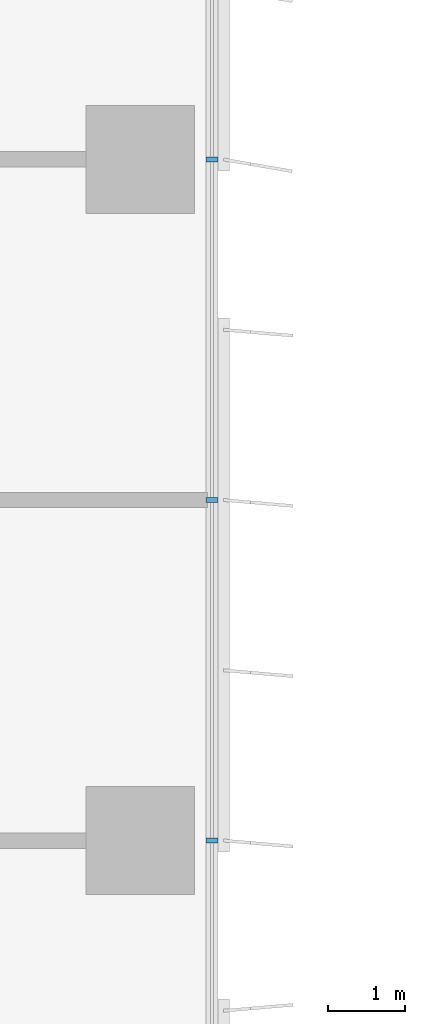
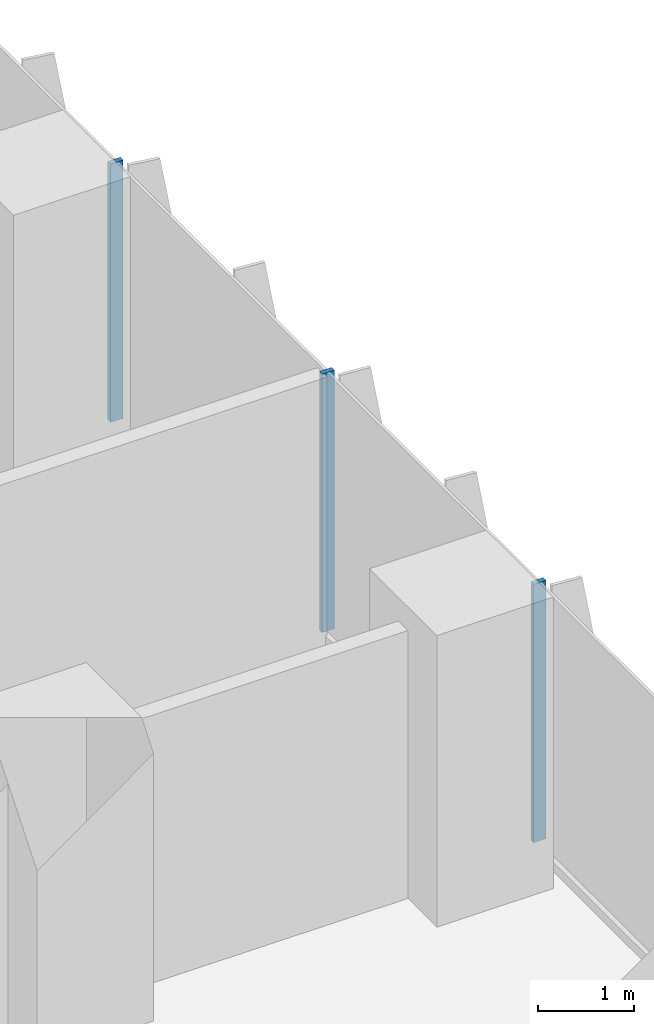
# One storey, part 7 of 24: 3 members, 1 element without a shape of its own.
"""IFC4 building model written with IfcOpenShell, lengths in metres."""

from ifc_helpers import new_model, si_unit, direction, frame, origin, origin_2d, place, context, subcontext, project, spatial, rectangle, extrude, source, transform, mapped, material, material_profile, profile_set, type_object, element, aggregate, save


model = new_model("IFC4")

# Units and contexts
model_context = context("Model", 3, precision=1e-05, world=origin(), true_north=direction((0.0, 1.0)))
body_context = subcontext(model_context, "Body", "Model", "MODEL_VIEW")
ifc_project = project(units=[si_unit("LENGTHUNIT", "METRE"), si_unit("AREAUNIT", "SQUARE_METRE"), si_unit("VOLUMEUNIT", "CUBIC_METRE"), si_unit("PLANEANGLEUNIT", "RADIAN"), si_unit("MASSUNIT", "GRAM", prefix="KILO")], contexts=[model_context])

# Site, building, storey
site_placement = place(None, origin())
site = spatial("IfcSite", under=ifc_project, at=site_placement, CompositionType="ELEMENT")
building_placement = place(site_placement, origin())
building = spatial("IfcBuilding", under=site, at=building_placement, Name="Kemantara Hotel Tower", CompositionType="ELEMENT")
storey_placement = place(building_placement, frame((0.0, 0.0, 56.199951171875)))
storey = spatial("IfcBuildingStorey", under=building, at=storey_placement, Name="L12", CompositionType="ELEMENT", Elevation=56.199951171875)

# Curtain wall, members
ifc_material_1 = material(Name="Low-E tinted double insulated glass 36 mm", Category="glass")
curtain_wall_type = type_object("IfcCurtainWallType", Name="TOWER CURTAIN WALL, FRONT FACES", PredefinedType="USERDEFINED", material=ifc_material_1)
curtain_wall_placement = place(storey_placement, origin())
curtain_wall = element("IfcCurtainWall", 1, at=curtain_wall_placement, inside=storey, type_object=curtain_wall_type, Name="CW4 L12 T1-R08-1", ObjectType="TOWER CURTAIN WALL, FRONT FACES", PredefinedType="USERDEFINED")
ifc_material_2 = material(Name="Aluminium 6063-T6 bronze anodised", Category="aluminium")
ifc_material_profile = material_profile(ifc_material_2, rectangle(XDim=0.14990234375, YDim=0.06005859375, at=origin_2d()), Name="TOWER CURTAIN WALL, FRONT FACES MULLION")
ifc_profile_set = profile_set([ifc_material_profile], Name="Aluminium 6063-T6 bronze anodised")
member_type = type_object("IfcMemberType", Name="TOWER CURTAIN WALL, FRONT FACES MULLION", PredefinedType="MULLION", material=ifc_profile_set)
shared_shape = source(origin(), body_context, "Body", "SweptSolid", [
    extrude(rectangle(XDim=0.14990234375, YDim=0.06005859375, at=origin_2d()), origin(), (0.0, 0.0, 1.0), 3.280029296875),
])
member_1_placement = place(storey_placement, frame((26.72509765625, 53.800048828125, 0.1201171875), z_axis=(0.0, 0.0, 1.0), x_axis=(-1.0, 0.0, 0.0)))
member_1 = element("IfcMember", 2, at=member_1_placement, type_object=member_type, Name="CW4 mullion T1-R08-1.8", PredefinedType="MULLION", context=body_context, shape_type="MappedRepresentation", body=[
    mapped(shared_shape, transform((0.0, 0.0, 0.0))),
])
member_2_placement = place(storey_placement, frame((26.72509765625, 58.199951171875, 0.1201171875), z_axis=(0.0, 0.0, 1.0), x_axis=(-1.0, 0.0, 0.0)))
member_2 = element("IfcMember", 3, at=member_2_placement, type_object=member_type, Name="CW4 mullion T1-R08-1.9", PredefinedType="MULLION", context=body_context, shape_type="MappedRepresentation", body=[
    mapped(shared_shape, transform((0.0, 0.0, 0.0))),
])
member_3_placement = place(storey_placement, frame((26.72509765625, 62.60009765625, 0.1201171875), z_axis=(0.0, 0.0, 1.0), x_axis=(-1.0, 0.0, 0.0)))
member_3 = element("IfcMember", 4, at=member_3_placement, type_object=member_type, Name="CW4 mullion T1-R08-1.10", PredefinedType="MULLION", context=body_context, shape_type="MappedRepresentation", body=[
    mapped(shared_shape, transform((0.0, 0.0, 0.0))),
])
aggregate(curtain_wall, [member_1, member_2, member_3])

save(model, "model.ifc")
